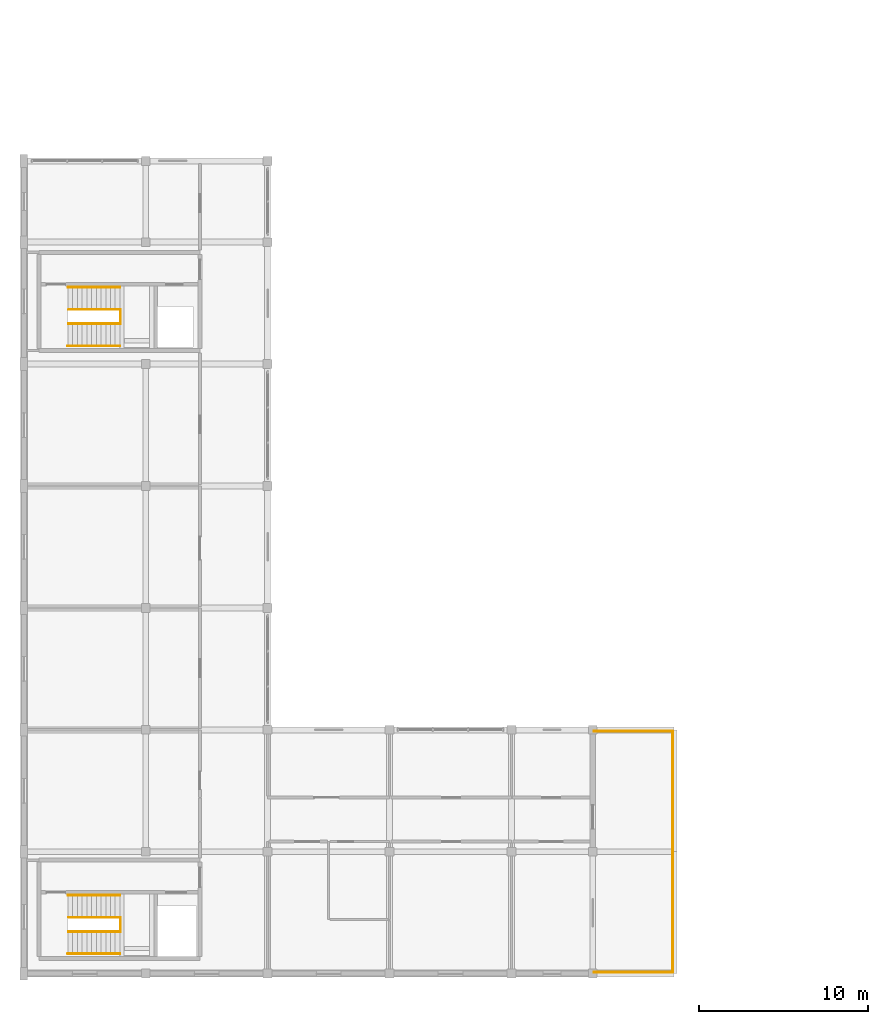
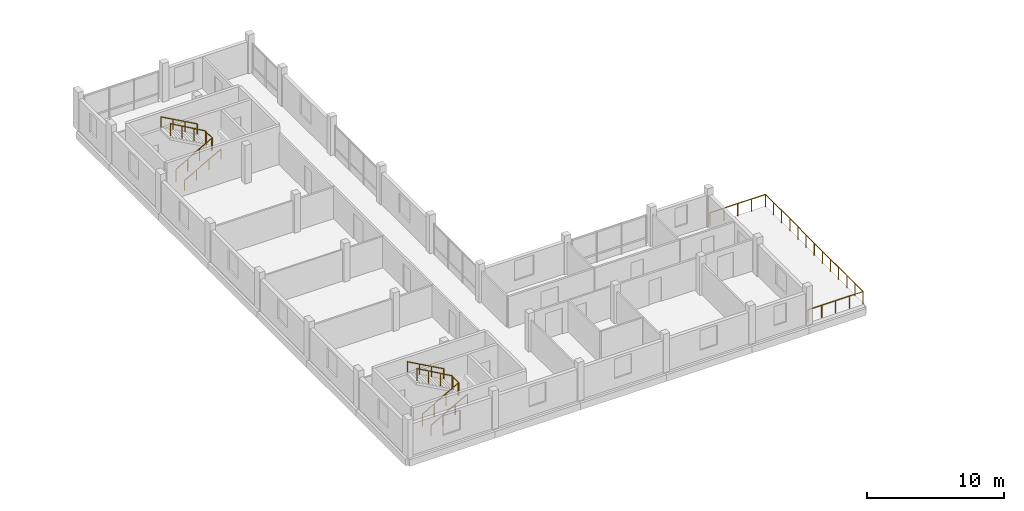
# One storey, part 25 of 26: 13 railings.
"""IFC4 building model written with IfcOpenShell, lengths in metres."""

from ifc_helpers import new_model, si_unit, direction, frame, origin, origin_2d, place, context, subcontext, project, spatial, circle, extrude, material, type_object, element, save


model = new_model("IFC4")

# Units and contexts
model_context = context("Model", 3, precision=1e-05, world=origin(), true_north=direction((0.0, 1.0)))
body_context = subcontext(model_context, "Body", "Model", "MODEL_VIEW")
ifc_project = project(units=[si_unit("LENGTHUNIT", "METRE"), si_unit("AREAUNIT", "SQUARE_METRE"), si_unit("VOLUMEUNIT", "CUBIC_METRE"), si_unit("PLANEANGLEUNIT", "RADIAN"), si_unit("MASSUNIT", "GRAM", prefix="KILO")], contexts=[model_context])

# Site, building, storey
site_placement = place(None, origin())
site = spatial("IfcSite", under=ifc_project, at=site_placement, CompositionType="ELEMENT")
building_placement = place(site_placement, origin())
building = spatial("IfcBuilding", under=site, at=building_placement, Name="Zornivar Specialist Clinic", CompositionType="ELEMENT")
storey_placement = place(building_placement, frame((0.0, 0.0, 19.699951171875)))
storey = spatial("IfcBuildingStorey", under=building, at=storey_placement, Name="L05", CompositionType="ELEMENT", Elevation=19.699951171875)

# Railings
ifc_material_1 = material(Name="Brushed Stainless Steel Stair Guardrail", Category="steel")
railing_type_1 = type_object("IfcRailingType", Name="GRD-INT-STAIR-1100", PredefinedType="GUARDRAIL", material=ifc_material_1)
railing_1_placement = place(storey_placement, frame((2.639892578125, 2.47998046875, 0.154052734375)))
element("IfcRailing", 1, at=railing_1_placement, inside=storey, type_object=railing_type_1, Name="stair:C1:L05:grd1", PredefinedType="GUARDRAIL", context=body_context, shape_type="SweptSolid", body=[
    extrude(circle(Radius=0.02392578125, at=origin_2d()), frame((0.0, 0.0, 1.076171875), z_axis=(0.870514015959, 0.0, 0.492143625396), x_axis=(0.0, 1.0, 0.0)), (0.0, 0.0, 1.0), 3.4462890625),
    extrude(circle(Radius=0.02099609375, at=origin_2d()), origin(), (0.0, 0.0, 1.0), 1.052001953125),
    extrude(circle(Radius=0.02099609375, at=origin_2d()), frame((1.0, 0.0, 0.5654296875)), (0.0, 0.0, 1.0), 1.052001953125),
    extrude(circle(Radius=0.02099609375, at=origin_2d()), frame((2.0, 0.0, 1.130615234375)), (0.0, 0.0, 1.0), 1.052001953125),
    extrude(circle(Radius=0.02099609375, at=origin_2d()), frame((3.0, 0.0, 1.696044921875)), (0.0, 0.0, 1.0), 1.052001953125),
])
railing_2_placement = place(storey_placement, frame((5.639892578125, 3.320068359375, 2.004150390625)))
element("IfcRailing", 2, at=railing_2_placement, inside=storey, type_object=railing_type_1, Name="stair:C1:L05:grd2", PredefinedType="GUARDRAIL", context=body_context, shape_type="SweptSolid", body=[
    extrude(circle(Radius=0.02392578125, at=origin_2d()), frame((0.0, 0.0, 1.076171875), z_axis=(-0.869126891963, 0.0, 0.494589168571), x_axis=(0.0, -1.0, 0.0)), (0.0, 0.0, 1.0), 3.4287109375),
    extrude(circle(Radius=0.02099609375, at=origin_2d()), origin(), (0.0, 0.0, 1.0), 1.052001953125),
    extrude(circle(Radius=0.02099609375, at=origin_2d()), frame((-0.993408203125, 0.0, 0.565185546875)), (0.0, 0.0, 1.0), 1.052001953125),
    extrude(circle(Radius=0.02099609375, at=origin_2d()), frame((-1.986572265625, 0.0, 1.130615234375)), (0.0, 0.0, 1.0), 1.052001953125),
    extrude(circle(Radius=0.02099609375, at=origin_2d()), frame((-2.97998046875, 0.0, 1.69580078125)), (0.0, 0.0, 1.0), 1.052001953125),
])
railing_3_placement = place(storey_placement, frame((5.7099609375, 2.47998046875, 1.85009765625)))
element("IfcRailing", 3, at=railing_3_placement, inside=storey, type_object=railing_type_1, Name="stair:C1:L05:grdl", PredefinedType="GUARDRAIL", context=body_context, shape_type="SweptSolid", body=[
    extrude(circle(Radius=0.02392578125, at=origin_2d()), frame((0.0, 0.0, 1.076171875), z_axis=(0.0, 1.0, 0.0), x_axis=(-1.0, 0.0, 0.0)), (0.0, 0.0, 1.0), 0.840087890625),
    extrude(circle(Radius=0.02099609375, at=origin_2d()), origin(), (0.0, 0.0, 1.0), 1.052001953125),
    extrude(circle(Radius=0.02099609375, at=origin_2d()), frame((0.0, 0.840087890625, 0.0)), (0.0, 0.0, 1.0), 1.052001953125),
])
railing_4_placement = place(storey_placement, frame((2.639892578125, 38.3798828125, 0.154052734375)))
element("IfcRailing", 4, at=railing_4_placement, inside=storey, type_object=railing_type_1, Name="stair:C2:L05:grd1", PredefinedType="GUARDRAIL", context=body_context, shape_type="SweptSolid", body=[
    extrude(circle(Radius=0.02392578125, at=origin_2d()), frame((0.0, 0.0, 1.076171875), z_axis=(0.870514015959, 0.0, 0.492143625396), x_axis=(0.0, 1.0, 0.0)), (0.0, 0.0, 1.0), 3.4462890625),
    extrude(circle(Radius=0.02099609375, at=origin_2d()), origin(), (0.0, 0.0, 1.0), 1.052001953125),
    extrude(circle(Radius=0.02099609375, at=origin_2d()), frame((1.0, 0.0, 0.5654296875)), (0.0, 0.0, 1.0), 1.052001953125),
    extrude(circle(Radius=0.02099609375, at=origin_2d()), frame((2.0, 0.0, 1.130615234375)), (0.0, 0.0, 1.0), 1.052001953125),
    extrude(circle(Radius=0.02099609375, at=origin_2d()), frame((3.0, 0.0, 1.696044921875)), (0.0, 0.0, 1.0), 1.052001953125),
])
railing_5_placement = place(storey_placement, frame((5.639892578125, 39.219970703125, 2.004150390625)))
element("IfcRailing", 5, at=railing_5_placement, inside=storey, type_object=railing_type_1, Name="stair:C2:L05:grd2", PredefinedType="GUARDRAIL", context=body_context, shape_type="SweptSolid", body=[
    extrude(circle(Radius=0.02392578125, at=origin_2d()), frame((0.0, 0.0, 1.076171875), z_axis=(-0.869126891963, 0.0, 0.494589168571), x_axis=(0.0, -1.0, 0.0)), (0.0, 0.0, 1.0), 3.4287109375),
    extrude(circle(Radius=0.02099609375, at=origin_2d()), origin(), (0.0, 0.0, 1.0), 1.052001953125),
    extrude(circle(Radius=0.02099609375, at=origin_2d()), frame((-0.993408203125, 0.0, 0.565185546875)), (0.0, 0.0, 1.0), 1.052001953125),
    extrude(circle(Radius=0.02099609375, at=origin_2d()), frame((-1.986572265625, 0.0, 1.130615234375)), (0.0, 0.0, 1.0), 1.052001953125),
    extrude(circle(Radius=0.02099609375, at=origin_2d()), frame((-2.97998046875, 0.0, 1.69580078125)), (0.0, 0.0, 1.0), 1.052001953125),
])
railing_6_placement = place(storey_placement, frame((5.7099609375, 38.3798828125, 1.85009765625)))
element("IfcRailing", 6, at=railing_6_placement, inside=storey, type_object=railing_type_1, Name="stair:C2:L05:grdl", PredefinedType="GUARDRAIL", context=body_context, shape_type="SweptSolid", body=[
    extrude(circle(Radius=0.02392578125, at=origin_2d()), frame((0.0, 0.0, 1.076171875), z_axis=(0.0, 1.0, 0.0), x_axis=(-1.0, 0.0, 0.0)), (0.0, 0.0, 1.0), 0.840087890625),
    extrude(circle(Radius=0.02099609375, at=origin_2d()), origin(), (0.0, 0.0, 1.0), 1.052001953125),
    extrude(circle(Radius=0.02099609375, at=origin_2d()), frame((0.0, 0.840087890625, 0.0)), (0.0, 0.0, 1.0), 1.052001953125),
])
ifc_material_2 = material(Name="Anodised Bronze Terrace Guardrail")
railing_type_2 = type_object("IfcRailingType", Name="GRD-TERR-GUARD-1120", PredefinedType="GUARDRAIL", material=ifc_material_2)
railing_7_placement = place(storey_placement, frame((33.679931640625, 0.080078125, 0.0)))
element("IfcRailing", 7, at=railing_7_placement, inside=storey, type_object=railing_type_2, Name="rail:V2:L05:terr:0:0", PredefinedType="GUARDRAIL", context=body_context, shape_type="SweptSolid", body=[
    extrude(circle(Radius=0.02392578125, at=origin_2d()), frame((0.0, 0.0, 1.09619140625), z_axis=(1.0, 0.0, 0.0), x_axis=(0.0, 1.0, 0.0)), (0.0, 0.0, 1.0), 4.64013671875),
    extrude(circle(Radius=0.02099609375, at=origin_2d()), origin(), (0.0, 0.0, 1.0), 1.072021484375),
    extrude(circle(Radius=0.02099609375, at=origin_2d()), frame((1.16015625, 0.0, 0.0)), (0.0, 0.0, 1.0), 1.072021484375),
    extrude(circle(Radius=0.02099609375, at=origin_2d()), frame((2.320068359375, 0.0, 0.0)), (0.0, 0.0, 1.0), 1.072021484375),
    extrude(circle(Radius=0.02099609375, at=origin_2d()), frame((3.47998046875, 0.0, 0.0)), (0.0, 0.0, 1.0), 1.072021484375),
    extrude(circle(Radius=0.02099609375, at=origin_2d()), frame((4.64013671875, 0.0, 0.0)), (0.0, 0.0, 1.0), 1.072021484375),
])
railing_8_placement = place(storey_placement, frame((38.320068359375, 0.080078125, 0.0)))
element("IfcRailing", 8, at=railing_8_placement, inside=storey, type_object=railing_type_2, Name="rail:V2:L05:terr:0:1", PredefinedType="GUARDRAIL", context=body_context, shape_type="SweptSolid", body=[
    extrude(circle(Radius=0.02392578125, at=origin_2d()), frame((0.0, 0.0, 1.09619140625), z_axis=(0.0, 1.0, 0.0), x_axis=(-1.0, 0.0, 0.0)), (0.0, 0.0, 1.0), 14.239990234375),
    extrude(circle(Radius=0.02099609375, at=origin_2d()), origin(), (0.0, 0.0, 1.0), 1.072021484375),
    extrude(circle(Radius=0.02099609375, at=origin_2d()), frame((0.0, 1.186767578125, 0.0)), (0.0, 0.0, 1.0), 1.072021484375),
    extrude(circle(Radius=0.02099609375, at=origin_2d()), frame((0.0, 2.373291015625, 0.0)), (0.0, 0.0, 1.0), 1.072021484375),
    extrude(circle(Radius=0.02099609375, at=origin_2d()), frame((0.0, 3.56005859375, 0.0)), (0.0, 0.0, 1.0), 1.072021484375),
    extrude(circle(Radius=0.02099609375, at=origin_2d()), frame((0.0, 4.74658203125, 0.0)), (0.0, 0.0, 1.0), 1.072021484375),
    extrude(circle(Radius=0.02099609375, at=origin_2d()), frame((0.0, 5.933349609375, 0.0)), (0.0, 0.0, 1.0), 1.072021484375),
    extrude(circle(Radius=0.02099609375, at=origin_2d()), frame((0.0, 7.1201171875, 0.0)), (0.0, 0.0, 1.0), 1.072021484375),
    extrude(circle(Radius=0.02099609375, at=origin_2d()), frame((0.0, 8.306640625, 0.0)), (0.0, 0.0, 1.0), 1.072021484375),
    extrude(circle(Radius=0.02099609375, at=origin_2d()), frame((0.0, 9.493408203125, 0.0)), (0.0, 0.0, 1.0), 1.072021484375),
    extrude(circle(Radius=0.02099609375, at=origin_2d()), frame((0.0, 10.679931640625, 0.0)), (0.0, 0.0, 1.0), 1.072021484375),
    extrude(circle(Radius=0.02099609375, at=origin_2d()), frame((0.0, 11.86669921875, 0.0)), (0.0, 0.0, 1.0), 1.072021484375),
    extrude(circle(Radius=0.02099609375, at=origin_2d()), frame((0.0, 13.05322265625, 0.0)), (0.0, 0.0, 1.0), 1.072021484375),
    extrude(circle(Radius=0.02099609375, at=origin_2d()), frame((0.0, 14.239990234375, 0.0)), (0.0, 0.0, 1.0), 1.072021484375),
])
railing_9_placement = place(storey_placement, frame((38.320068359375, 14.320068359375, 0.0)))
element("IfcRailing", 9, at=railing_9_placement, inside=storey, type_object=railing_type_2, Name="rail:V2:L05:terr:0:2", PredefinedType="GUARDRAIL", context=body_context, shape_type="SweptSolid", body=[
    extrude(circle(Radius=0.02392578125, at=origin_2d()), frame((0.0, 0.0, 1.09619140625), z_axis=(-1.0, 0.0, 0.0), x_axis=(0.0, -1.0, 0.0)), (0.0, 0.0, 1.0), 4.64013671875),
    extrude(circle(Radius=0.02099609375, at=origin_2d()), origin(), (0.0, 0.0, 1.0), 1.072021484375),
    extrude(circle(Radius=0.02099609375, at=origin_2d()), frame((-1.16015625, 0.0, 0.0)), (0.0, 0.0, 1.0), 1.072021484375),
    extrude(circle(Radius=0.02099609375, at=origin_2d()), frame((-2.320068359375, 0.0, 0.0)), (0.0, 0.0, 1.0), 1.072021484375),
    extrude(circle(Radius=0.02099609375, at=origin_2d()), frame((-3.47998046875, 0.0, 0.0)), (0.0, 0.0, 1.0), 1.072021484375),
    extrude(circle(Radius=0.02099609375, at=origin_2d()), frame((-4.64013671875, 0.0, 0.0)), (0.0, 0.0, 1.0), 1.072021484375),
])
ifc_material_3 = material(Name="Brushed Stainless Steel Continuous Handrail", Category="steel")
railing_type_3 = type_object("IfcRailingType", Name="HRL-STAIR-0920", PredefinedType="HANDRAIL", material=ifc_material_3)
railing_10_placement = place(storey_placement, frame((2.60009765625, 1.169921875, 0.154052734375)))
element("IfcRailing", 10, at=railing_10_placement, inside=storey, type_object=railing_type_3, Name="stair:C1:L05:hr1", PredefinedType="HANDRAIL", context=body_context, shape_type="SweptSolid", body=[
    extrude(circle(Radius=0.02392578125, at=origin_2d()), frame((0.0, 0.0, 0.89599609375), z_axis=(0.875959224095, 0.0, 0.482385154957), x_axis=(0.0, 1.0, 0.0)), (0.0, 0.0, 1.0), 3.515869140625),
    extrude(circle(Radius=0.02099609375, at=origin_2d()), origin(), (0.0, 0.0, 1.0), 0.871826171875),
    extrude(circle(Radius=0.02099609375, at=origin_2d()), frame((1.026611328125, 0.0, 0.5654296875)), (0.0, 0.0, 1.0), 0.871826171875),
    extrude(circle(Radius=0.02099609375, at=origin_2d()), frame((2.05322265625, 0.0, 1.130615234375)), (0.0, 0.0, 1.0), 0.871826171875),
    extrude(circle(Radius=0.02099609375, at=origin_2d()), frame((3.079833984375, 0.0, 1.696044921875)), (0.0, 0.0, 1.0), 0.871826171875),
])
railing_11_placement = place(storey_placement, frame((5.679931640625, 4.6298828125, 2.004150390625)))
element("IfcRailing", 11, at=railing_11_placement, inside=storey, type_object=railing_type_3, Name="stair:C1:L05:hr2", PredefinedType="HANDRAIL", context=body_context, shape_type="SweptSolid", body=[
    extrude(circle(Radius=0.02392578125, at=origin_2d()), frame((0.0, 0.0, 0.89599609375), z_axis=(-0.874653893633, 0.0, 0.48474794105), x_axis=(0.0, -1.0, 0.0)), (0.0, 0.0, 1.0), 3.498291015625),
    extrude(circle(Radius=0.02099609375, at=origin_2d()), origin(), (0.0, 0.0, 1.0), 0.871826171875),
    extrude(circle(Radius=0.02099609375, at=origin_2d()), frame((-1.02001953125, 0.0, 0.565185546875)), (0.0, 0.0, 1.0), 0.871826171875),
    extrude(circle(Radius=0.02099609375, at=origin_2d()), frame((-2.039794921875, 0.0, 1.130615234375)), (0.0, 0.0, 1.0), 0.871826171875),
    extrude(circle(Radius=0.02099609375, at=origin_2d()), frame((-3.059814453125, 0.0, 1.69580078125)), (0.0, 0.0, 1.0), 0.871826171875),
])
railing_12_placement = place(storey_placement, frame((2.60009765625, 37.070068359375, 0.154052734375)))
element("IfcRailing", 12, at=railing_12_placement, inside=storey, type_object=railing_type_3, Name="stair:C2:L05:hr1", PredefinedType="HANDRAIL", context=body_context, shape_type="SweptSolid", body=[
    extrude(circle(Radius=0.02392578125, at=origin_2d()), frame((0.0, 0.0, 0.89599609375), z_axis=(0.875959224095, 0.0, 0.482385154957), x_axis=(0.0, 1.0, 0.0)), (0.0, 0.0, 1.0), 3.515869140625),
    extrude(circle(Radius=0.02099609375, at=origin_2d()), origin(), (0.0, 0.0, 1.0), 0.871826171875),
    extrude(circle(Radius=0.02099609375, at=origin_2d()), frame((1.026611328125, 0.0, 0.5654296875)), (0.0, 0.0, 1.0), 0.871826171875),
    extrude(circle(Radius=0.02099609375, at=origin_2d()), frame((2.05322265625, 0.0, 1.130615234375)), (0.0, 0.0, 1.0), 0.871826171875),
    extrude(circle(Radius=0.02099609375, at=origin_2d()), frame((3.079833984375, 0.0, 1.696044921875)), (0.0, 0.0, 1.0), 0.871826171875),
])
railing_13_placement = place(storey_placement, frame((5.679931640625, 40.530029296875, 2.004150390625)))
element("IfcRailing", 13, at=railing_13_placement, inside=storey, type_object=railing_type_3, Name="stair:C2:L05:hr2", PredefinedType="HANDRAIL", context=body_context, shape_type="SweptSolid", body=[
    extrude(circle(Radius=0.02392578125, at=origin_2d()), frame((0.0, 0.0, 0.89599609375), z_axis=(-0.874653893633, 0.0, 0.48474794105), x_axis=(0.0, -1.0, 0.0)), (0.0, 0.0, 1.0), 3.498291015625),
    extrude(circle(Radius=0.02099609375, at=origin_2d()), origin(), (0.0, 0.0, 1.0), 0.871826171875),
    extrude(circle(Radius=0.02099609375, at=origin_2d()), frame((-1.02001953125, 0.0, 0.565185546875)), (0.0, 0.0, 1.0), 0.871826171875),
    extrude(circle(Radius=0.02099609375, at=origin_2d()), frame((-2.039794921875, 0.0, 1.130615234375)), (0.0, 0.0, 1.0), 0.871826171875),
    extrude(circle(Radius=0.02099609375, at=origin_2d()), frame((-3.059814453125, 0.0, 1.69580078125)), (0.0, 0.0, 1.0), 0.871826171875),
])

save(model, "model.ifc")
